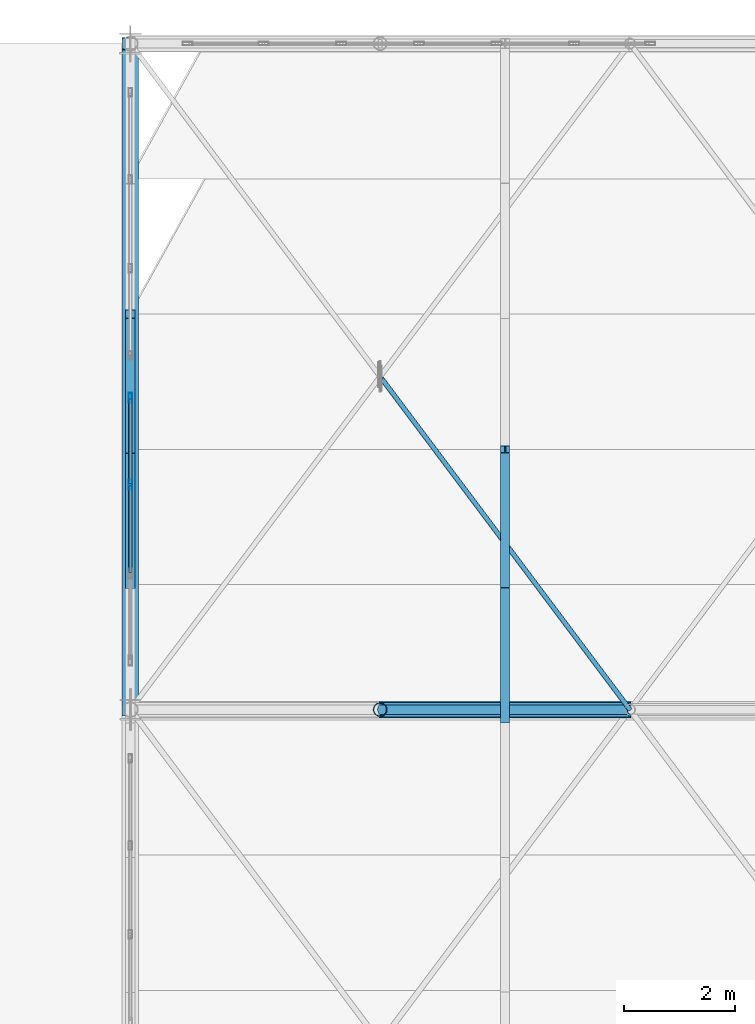
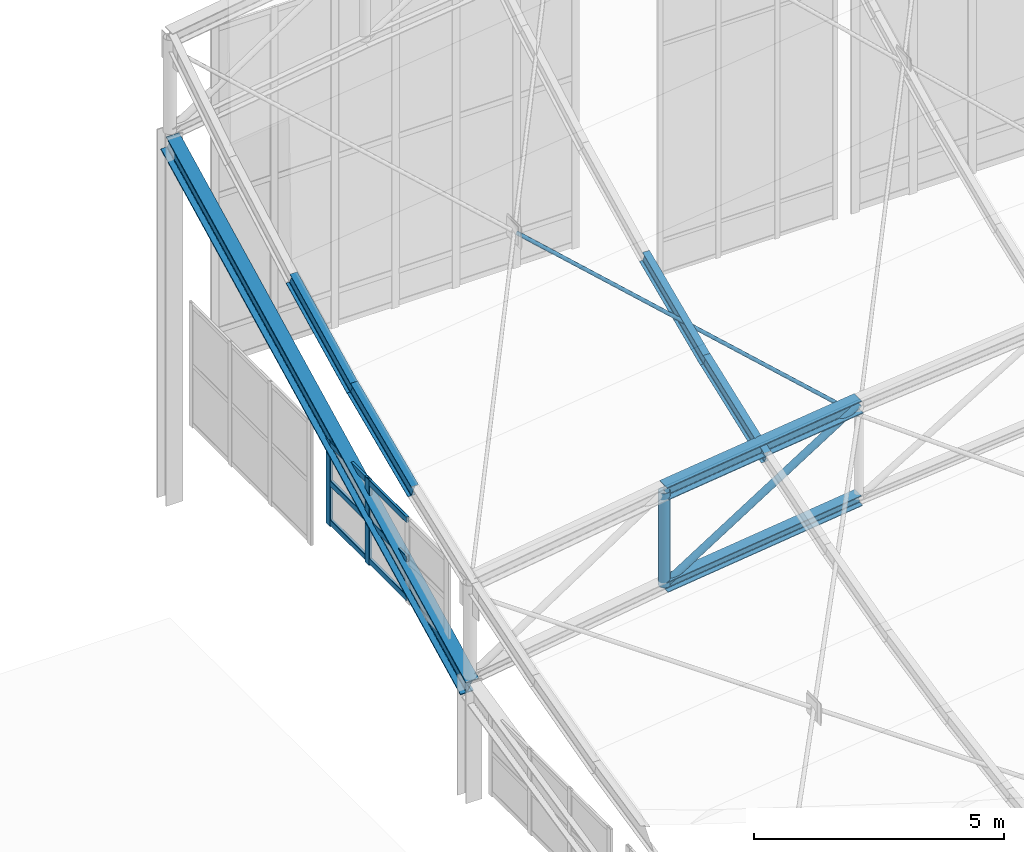
# One storey, part 113 of 262: 17 members, 1 beam, 1 element without a shape of its own.
"""IFC4 building model written with IfcOpenShell, lengths in metres."""

from ifc_helpers import new_model, si_unit, derived_unit, direction, frame, origin, origin_2d, place, context, subcontext, project, spatial, hollow_rectangle, hollow_circle, i_section, extrude, material, layer, layer_set, material_profile, profile_set, type_object, element, aggregate, save


model = new_model("IFC4")

# Units and contexts
model_context = context("Model", 3, precision=1e-05, world=origin(), true_north=direction((0.0, 1.0)))
body_context = subcontext(model_context, "Body", "Model", "MODEL_VIEW")
ifc_project = project(units=[si_unit("LENGTHUNIT", "METRE"), si_unit("AREAUNIT", "SQUARE_METRE"), si_unit("VOLUMEUNIT", "CUBIC_METRE"), si_unit("PLANEANGLEUNIT", "RADIAN"), si_unit("MASSUNIT", "GRAM", prefix="KILO"), derived_unit("THERMALTRANSMITTANCEUNIT", [(si_unit("POWERUNIT", "WATT"), 1), (si_unit("LENGTHUNIT", "METRE"), -2), (si_unit("THERMODYNAMICTEMPERATUREUNIT", "KELVIN"), -1)])], contexts=[model_context])

# Site, building, storey
site_placement = place(None, origin())
site = spatial("IfcSite", under=ifc_project, at=site_placement, CompositionType="ELEMENT")
building_placement = place(site_placement, origin())
building = spatial("IfcBuilding", under=site, at=building_placement, Name="Almenara Railside Exhibition Hall", CompositionType="ELEMENT")
storey_placement = place(building_placement, frame((0.0, 0.0, 21.699951171875)))
storey = spatial("IfcBuildingStorey", under=building, at=storey_placement, Name="RF", CompositionType="ELEMENT", Elevation=21.699951171875)

# Members
ifc_material_1 = material(Name="Structural steel S355JR", Category="steel")
ifc_material_profile_1 = material_profile(ifc_material_1, i_section(OverallWidth=0.260009765625, OverallDepth=0.260009765625, WebThickness=0.010009765625, FlangeThickness=0.017578125, FilletRadius=0.02392578125, at=origin_2d()), Name="HEB 260")
ifc_profile_set_1 = profile_set([ifc_material_profile_1], Name="Structural steel S355JR")
member_type_1 = type_object("IfcMemberType", Name="Arched Truss Bottom Chord HEB 260 S355JR", PredefinedType="CHORD", material=ifc_profile_set_1)
member_1_placement = place(storey_placement, frame((16.5, 120.0, 1.21337890625), z_axis=(0.992612220818, 0.0, 0.121330041965), x_axis=(0.0, 1.0, 0.0)))
element("IfcMember", 1, at=member_1_placement, inside=storey, type_object=member_type_1, Name="MEM-BC-V1-06-01", PredefinedType="CHORD", context=body_context, shape_type="SweptSolid", body=[
    extrude(i_section(OverallWidth=0.260009765625, OverallDepth=0.260009765625, WebThickness=0.010009765625, FlangeThickness=0.017578125, FilletRadius=0.02392578125, at=origin_2d()), origin(), (0.0, 0.0, 1.0), 4.533447265625),
])
ifc_material_profile_2 = material_profile(ifc_material_1, i_section(OverallWidth=0.300048828125, OverallDepth=0.320068359375, WebThickness=0.011474609375, FlangeThickness=0.0205078125, FilletRadius=0.027099609375, at=origin_2d()), Name="HEB 320")
ifc_profile_set_2 = profile_set([ifc_material_profile_2], Name="Structural steel S355JR")
member_type_2 = type_object("IfcMemberType", Name="Arched Truss Top Chord HEB 320 S355JR", PredefinedType="CHORD", material=ifc_profile_set_2)
member_2_placement = place(storey_placement, frame((16.5, 120.0, 3.513427734375), z_axis=(0.992612220818, 0.0, 0.121330041965), x_axis=(0.0, 1.0, 0.0)))
element("IfcMember", 2, at=member_2_placement, inside=storey, type_object=member_type_2, Name="MEM-TC-V1-06-01", PredefinedType="CHORD", context=body_context, shape_type="SweptSolid", body=[
    extrude(i_section(OverallWidth=0.300048828125, OverallDepth=0.320068359375, WebThickness=0.011474609375, FlangeThickness=0.0205078125, FilletRadius=0.027099609375, at=origin_2d()), origin(), (0.0, 0.0, 1.0), 4.533447265625),
])
ifc_material_profile_3 = material_profile(ifc_material_1, hollow_circle(Radius=0.04443359375, WallThickness=0.00390625, at=origin_2d()), Name="CHS 88.9x4")
ifc_profile_set_3 = profile_set([ifc_material_profile_3], Name="Structural steel S355JR")
member_type_3 = type_object("IfcMemberType", Name="Canopy Tie Brace CHS 88.9x4 S355JR", PredefinedType="BRACE", material=ifc_profile_set_3)
member_3_placement = place(storey_placement, frame((21.0, 120.0, 3.783447265625), z_axis=(-0.57105659505, 0.761398402428, 0.306866156541), x_axis=(-0.799996069603, -0.600005240494, 0.0)))
element("IfcMember", 3, at=member_3_placement, inside=storey, type_object=member_type_3, Name="MEM-WB-V1-WB-CHS89-06-00-S1", PredefinedType="BRACE", context=body_context, shape_type="SweptSolid", body=[
    extrude(hollow_circle(Radius=0.04443359375, WallThickness=0.00390625, at=origin_2d()), origin(), (0.0, 0.0, 1.0), 7.831787109375),
])

# Curtain wall, members
ifc_material_2 = material(Name="Bronze-anodised aluminium and low-E double glazing", Category="aluminium")
ifc_layer = layer(ifc_material_2, 0.179931640625, Name="Bronze-anodised aluminium and low-E double glazing")
ifc_layer_set = layer_set([ifc_layer], Name="Bronze-anodised aluminium and low-E double glazing")
curtain_wall_type = type_object("IfcCurtainWallType", Name="West Hall Clerestory Curtain Wall 4200x2400", PredefinedType="NOTDEFINED", material=ifc_layer_set)
curtain_wall_placement = place(storey_placement, origin())
curtain_wall = element("IfcCurtainWall", 4, at=curtain_wall_placement, inside=storey, type_object=curtain_wall_type, Name="Curtain wall CW-CL1-192", PredefinedType="NOTDEFINED")
ifc_material_3 = material(Name="Bronze-anodised aluminium", Category="aluminium")
ifc_material_profile_4 = material_profile(ifc_material_3, hollow_rectangle(XDim=0.06494140625, YDim=0.179931640625, WallThickness=0.00390625, InnerFilletRadius=0.00390625, OuterFilletRadius=0.008056640625, at=origin_2d()), Name="ALU-MUL 65x180x4")
ifc_profile_set_4 = profile_set([ifc_material_profile_4], Name="Bronze-anodised aluminium")
member_type_4 = type_object("IfcMemberType", Name="Curtain Wall Mullion 65x180x4", PredefinedType="MULLION", material=ifc_profile_set_4)
member_4_placement = place(storey_placement, frame((12.0, 124.050048828125, 0.85498046875), z_axis=(0.0, 0.0, 1.0), x_axis=(-1.0, 0.0, 0.0)))
member_4 = element("IfcMember", 5, at=member_4_placement, type_object=member_type_4, Name="CW-CL1-192 mullion 3", PredefinedType="MULLION", context=body_context, shape_type="SweptSolid", body=[
    extrude(hollow_rectangle(XDim=0.06494140625, YDim=0.179931640625, WallThickness=0.00390625, InnerFilletRadius=0.00390625, OuterFilletRadius=0.008056640625, at=origin_2d()), origin(), (0.0, 0.0, 1.0), 2.0849609375),
])
member_5_placement = place(storey_placement, frame((12.0, 125.617431640625, 0.85498046875), z_axis=(0.0, 0.0, 1.0), x_axis=(-1.0, 0.0, 0.0)))
member_5 = element("IfcMember", 6, at=member_5_placement, type_object=member_type_4, Name="CW-CL1-192 mullion 4", PredefinedType="MULLION", context=body_context, shape_type="SweptSolid", body=[
    extrude(hollow_rectangle(XDim=0.06494140625, YDim=0.179931640625, WallThickness=0.00390625, InnerFilletRadius=0.00390625, OuterFilletRadius=0.008056640625, at=origin_2d()), origin(), (0.0, 0.0, 1.0), 2.0849609375),
])
ifc_material_profile_5 = material_profile(ifc_material_3, hollow_rectangle(XDim=0.06494140625, YDim=0.139892578125, WallThickness=0.00341796875, InnerFilletRadius=0.00341796875, OuterFilletRadius=0.007080078125, at=origin_2d()), Name="ALU-TRN 65x140x3.5")
ifc_profile_set_5 = profile_set([ifc_material_profile_5], Name="Bronze-anodised aluminium")
member_type_5 = type_object("IfcMemberType", Name="Curtain Wall Transom 65x140x3.5", PredefinedType="USERDEFINED", material=ifc_profile_set_5)
member_6_placement = place(storey_placement, frame((12.0, 122.474609375, 0.9599609375), z_axis=(0.0, 1.0, 0.0), x_axis=(-1.0, 0.0, 0.0)))
member_6 = element("IfcMember", 7, at=member_6_placement, type_object=member_type_5, Name="CW-CL1-192 transom 2.1", ObjectType="TRANSOM", PredefinedType="USERDEFINED", context=body_context, shape_type="SweptSolid", body=[
    extrude(hollow_rectangle(XDim=0.06494140625, YDim=0.139892578125, WallThickness=0.00341796875, InnerFilletRadius=0.00341796875, OuterFilletRadius=0.007080078125, at=origin_2d()), origin(), (0.0, 0.0, 1.0), 1.55078125),
])
member_7_placement = place(storey_placement, frame((12.0, 122.474609375, 1.9150390625), z_axis=(0.0, 1.0, 0.0), x_axis=(-1.0, 0.0, 0.0)))
member_7 = element("IfcMember", 8, at=member_7_placement, type_object=member_type_5, Name="CW-CL1-192 transom 2.2", ObjectType="TRANSOM", PredefinedType="USERDEFINED", context=body_context, shape_type="SweptSolid", body=[
    extrude(hollow_rectangle(XDim=0.06494140625, YDim=0.139892578125, WallThickness=0.00341796875, InnerFilletRadius=0.00341796875, OuterFilletRadius=0.007080078125, at=origin_2d()), origin(), (0.0, 0.0, 1.0), 1.55078125),
])
member_8_placement = place(storey_placement, frame((12.0, 122.474609375, 2.8701171875), z_axis=(0.0, 1.0, 0.0), x_axis=(-1.0, 0.0, 0.0)))
member_8 = element("IfcMember", 9, at=member_8_placement, type_object=member_type_5, Name="CW-CL1-192 transom 2.3", ObjectType="TRANSOM", PredefinedType="USERDEFINED", context=body_context, shape_type="SweptSolid", body=[
    extrude(hollow_rectangle(XDim=0.06494140625, YDim=0.139892578125, WallThickness=0.00341796875, InnerFilletRadius=0.00341796875, OuterFilletRadius=0.007080078125, at=origin_2d()), origin(), (0.0, 0.0, 1.0), 1.55078125),
])
member_9_placement = place(storey_placement, frame((12.0, 124.074462890625, 0.9599609375), z_axis=(0.0, 1.0, 0.0), x_axis=(-1.0, 0.0, 0.0)))
member_9 = element("IfcMember", 10, at=member_9_placement, type_object=member_type_5, Name="CW-CL1-192 transom 3.1", ObjectType="TRANSOM", PredefinedType="USERDEFINED", context=body_context, shape_type="SweptSolid", body=[
    extrude(hollow_rectangle(XDim=0.06494140625, YDim=0.139892578125, WallThickness=0.00341796875, InnerFilletRadius=0.00341796875, OuterFilletRadius=0.007080078125, at=origin_2d()), origin(), (0.0, 0.0, 1.0), 1.5185546875),
])
member_10_placement = place(storey_placement, frame((12.0, 124.074462890625, 1.9150390625), z_axis=(0.0, 1.0, 0.0), x_axis=(-1.0, 0.0, 0.0)))
member_10 = element("IfcMember", 11, at=member_10_placement, type_object=member_type_5, Name="CW-CL1-192 transom 3.2", ObjectType="TRANSOM", PredefinedType="USERDEFINED", context=body_context, shape_type="SweptSolid", body=[
    extrude(hollow_rectangle(XDim=0.06494140625, YDim=0.139892578125, WallThickness=0.00341796875, InnerFilletRadius=0.00341796875, OuterFilletRadius=0.007080078125, at=origin_2d()), origin(), (0.0, 0.0, 1.0), 1.5185546875),
])
member_11_placement = place(storey_placement, frame((12.0, 124.074462890625, 2.8701171875), z_axis=(0.0, 1.0, 0.0), x_axis=(-1.0, 0.0, 0.0)))
member_11 = element("IfcMember", 12, at=member_11_placement, type_object=member_type_5, Name="CW-CL1-192 transom 3.3", ObjectType="TRANSOM", PredefinedType="USERDEFINED", context=body_context, shape_type="SweptSolid", body=[
    extrude(hollow_rectangle(XDim=0.06494140625, YDim=0.139892578125, WallThickness=0.00341796875, InnerFilletRadius=0.00341796875, OuterFilletRadius=0.007080078125, at=origin_2d()), origin(), (0.0, 0.0, 1.0), 1.5185546875),
])
aggregate(curtain_wall, [member_4, member_5, member_6, member_7, member_8, member_9, member_10, member_11])

# Members
ifc_material_profile_6 = material_profile(ifc_material_1, i_section(OverallWidth=0.159912109375, OverallDepth=0.330078125, WebThickness=0.007568359375, FlangeThickness=0.011474609375, FilletRadius=0.01806640625, at=origin_2d()), Name="IPE 330")
ifc_profile_set_6 = profile_set([ifc_material_profile_6], Name="Structural steel S355JR")
member_type_6 = type_object("IfcMemberType", Name="Gable Bay Purlin IPE 330 S355JR", PredefinedType="PURLIN", material=ifc_profile_set_6)
member_12_placement = place(storey_placement, frame((18.75, 119.81640625, 3.646240234375), z_axis=(0.0, 0.936171044044, 0.351544842508), x_axis=(-1.0, 0.0, 0.0)))
element("IfcMember", 13, at=member_12_placement, inside=storey, type_object=member_type_6, Name="MEM-PR-V1-PR-IPE330-01-23", PredefinedType="PURLIN", context=body_context, shape_type="SweptSolid", body=[
    extrude(i_section(OverallWidth=0.159912109375, OverallDepth=0.330078125, WebThickness=0.007568359375, FlangeThickness=0.011474609375, FilletRadius=0.01806640625, at=origin_2d()), origin(), (0.0, 0.0, 1.0), 2.60302734375),
])
member_13_placement = place(storey_placement, frame((18.75, 122.253173828125, 4.55322265625), z_axis=(0.0, 0.917189812532, 0.398450558775), x_axis=(-1.0, 0.0, 0.0)))
element("IfcMember", 14, at=member_13_placement, inside=storey, type_object=member_type_6, Name="MEM-PR-V1-PR-IPE330-01-24", PredefinedType="PURLIN", context=body_context, shape_type="SweptSolid", body=[
    extrude(i_section(OverallWidth=0.159912109375, OverallDepth=0.330078125, WebThickness=0.007568359375, FlangeThickness=0.011474609375, FilletRadius=0.01806640625, at=origin_2d()), origin(), (0.0, 0.0, 1.0), 2.65673828125),
])
ifc_material_profile_7 = material_profile(ifc_material_1, i_section(OverallWidth=0.169921875, OverallDepth=0.360107421875, WebThickness=0.008056640625, FlangeThickness=0.0126953125, FilletRadius=0.01806640625, at=origin_2d()), Name="IPE 360")
ifc_profile_set_7 = profile_set([ifc_material_profile_7], Name="Structural steel S355JR")
member_type_7 = type_object("IfcMemberType", Name="Long-Span Scroll Purlin IPE 360 S355JR", PredefinedType="PURLIN", material=ifc_profile_set_7)
member_14_placement = place(storey_placement, frame((12.0, 122.253173828125, 3.707763671875), z_axis=(0.0, 0.917189812532, 0.398450558775), x_axis=(-1.0, 0.0, 0.0)))
element("IfcMember", 15, at=member_14_placement, inside=storey, type_object=member_type_7, Name="MEM-PR-V1-PR-IPE360-00-24", PredefinedType="PURLIN", context=body_context, shape_type="SweptSolid", body=[
    extrude(i_section(OverallWidth=0.169921875, OverallDepth=0.360107421875, WebThickness=0.008056640625, FlangeThickness=0.0126953125, FilletRadius=0.01806640625, at=origin_2d()), origin(), (0.0, 0.0, 1.0), 2.65673828125),
])
member_15_placement = place(storey_placement, frame((12.0, 124.68994140625, 4.75634765625), z_axis=(0.0, 0.895376074457, 0.445310773831), x_axis=(-1.0, 0.0, 0.0)))
element("IfcMember", 16, at=member_15_placement, inside=storey, type_object=member_type_7, Name="MEM-PR-V1-PR-IPE360-00-25", PredefinedType="PURLIN", context=body_context, shape_type="SweptSolid", body=[
    extrude(i_section(OverallWidth=0.169921875, OverallDepth=0.360107421875, WebThickness=0.008056640625, FlangeThickness=0.0126953125, FilletRadius=0.01806640625, at=origin_2d()), origin(), (0.0, 0.0, 1.0), 2.721435546875),
])

# Beam
ifc_material_profile_8 = material_profile(ifc_material_1, i_section(OverallWidth=0.300048828125, OverallDepth=0.5, WebThickness=0.014404296875, FlangeThickness=0.028076171875, FilletRadius=0.027099609375, at=origin_2d()), Name="HEB 500")
ifc_profile_set_8 = profile_set([ifc_material_profile_8], Name="Structural steel S355JR")
beam_type = type_object("IfcBeamType", Name="Steel Heavy Eaves Girder HEB 500 S355JR", PredefinedType="USERDEFINED", material=ifc_profile_set_8)
beam_placement = place(storey_placement, frame((12.0, 120.0, 0.291259765625), z_axis=(0.0, 0.892669577236, 0.450711688197), x_axis=(-1.0, 0.0, 0.0)))
element("IfcBeam", 17, at=beam_placement, inside=storey, type_object=beam_type, Name="Beam 0973", ObjectType="GIRDER", PredefinedType="USERDEFINED", context=body_context, shape_type="SweptSolid", body=[
    extrude(i_section(OverallWidth=0.300048828125, OverallDepth=0.5, WebThickness=0.014404296875, FlangeThickness=0.028076171875, FilletRadius=0.027099609375, at=origin_2d()), origin(), (0.0, 0.0, 1.0), 13.44287109375),
])

# Members
ifc_material_profile_9 = material_profile(ifc_material_1, hollow_circle(Radius=0.084228515625, WallThickness=0.006103515625, at=origin_2d()), Name="CHS 168.3x6")
ifc_profile_set_9 = profile_set([ifc_material_profile_9], Name="Structural steel S355JR")
member_type_8 = type_object("IfcMemberType", Name="Truss End Diagonal CHS 168.3x6 S355JR", PredefinedType="BRACE", material=ifc_profile_set_9)
member_16_placement = place(storey_placement, frame((16.5, 120.0, 1.21337890625), z_axis=(0.844810788273, 0.0, 0.535065166141), x_axis=(0.0, 1.0, 0.0)))
element("IfcMember", 18, at=member_16_placement, inside=storey, type_object=member_type_8, Name="MEM-TD-V1-06-01", PredefinedType="BRACE", context=body_context, shape_type="SweptSolid", body=[
    extrude(hollow_circle(Radius=0.084228515625, WallThickness=0.006103515625, at=origin_2d()), origin(), (0.0, 0.0, 1.0), 5.32666015625),
])
ifc_material_profile_10 = material_profile(ifc_material_1, hollow_circle(Radius=0.122314453125, WallThickness=0.008056640625, at=origin_2d()), Name="CHS 244.5x8")
ifc_profile_set_10 = profile_set([ifc_material_profile_10], Name="Structural steel S355JR")
member_type_9 = type_object("IfcMemberType", Name="Truss Haunch Vertical Strut CHS 244.5x8 S355JR", PredefinedType="BRACE", material=ifc_profile_set_10)
member_17_placement = place(storey_placement, frame((16.5, 120.0, 1.21337890625), z_axis=(0.0, 0.0, 1.0), x_axis=(1.0, 0.0, 0.0)))
element("IfcMember", 19, at=member_17_placement, inside=storey, type_object=member_type_9, Name="MEM-TV-V1-06-01", PredefinedType="BRACE", context=body_context, shape_type="SweptSolid", body=[
    extrude(hollow_circle(Radius=0.122314453125, WallThickness=0.008056640625, at=origin_2d()), origin(), (0.0, 0.0, 1.0), 2.300048828125),
])

save(model, "model.ifc")
